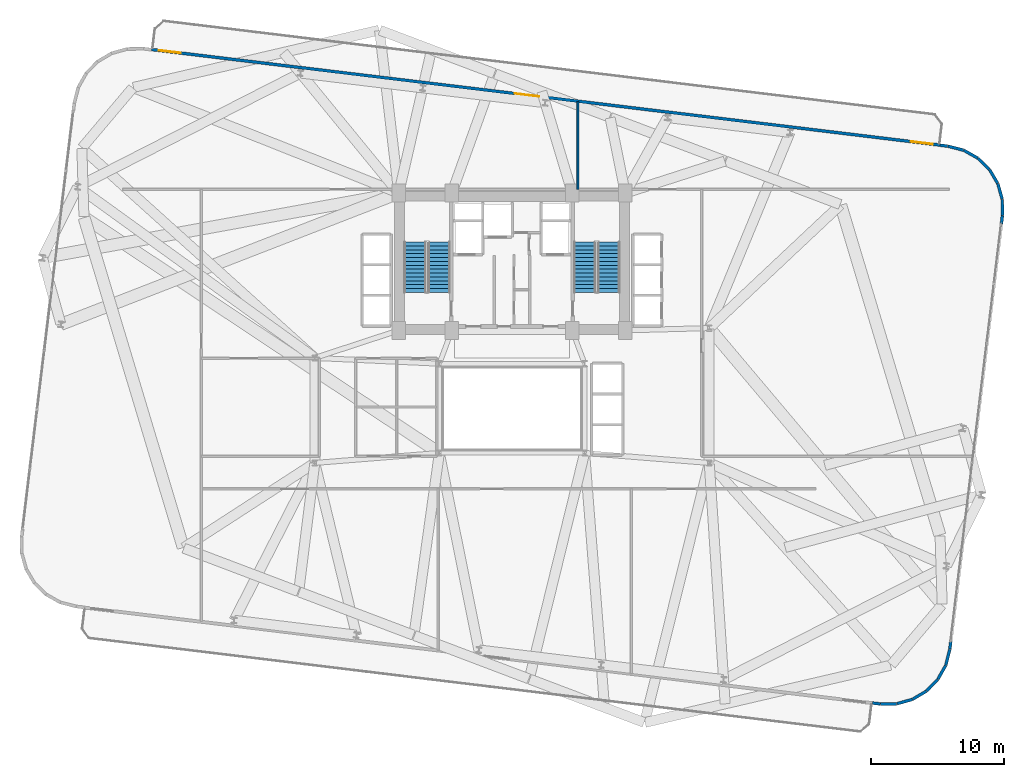
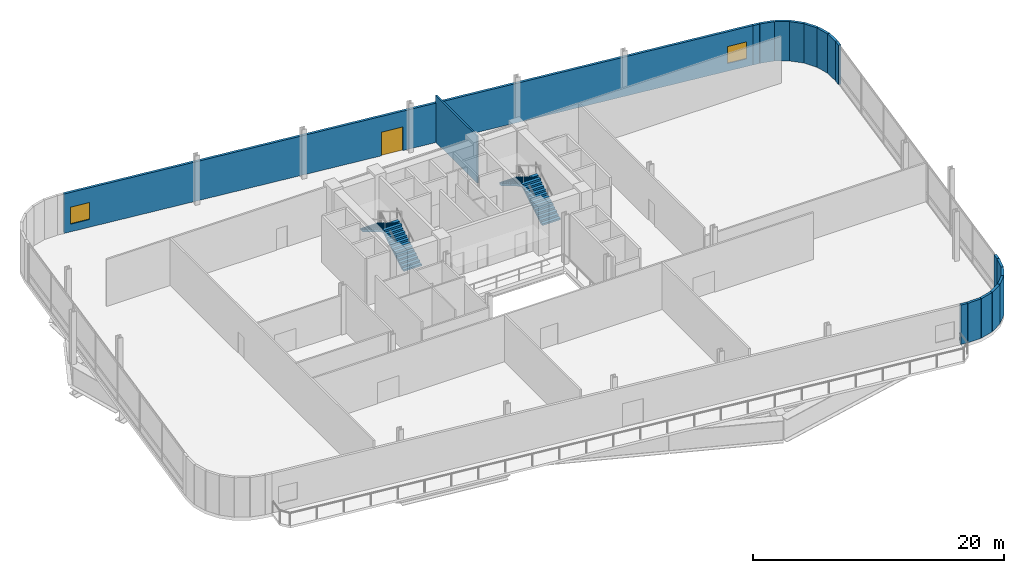
# One storey, part 18 of 22: 18 walls, 4 stair flights, 2 windows, 1 door, 3 openings, 2 elements without a shape of their own.
"""IFC4 building model written with IfcOpenShell, lengths in metres."""

from ifc_helpers import new_model, si_unit, direction, frame, frame_2d, origin, place, context, subcontext, project, spatial, polyline, rectangle, outline, extrude, material, layer, layer_set, type_object, element, fill, aggregate, save


model = new_model("IFC4")

# Units and contexts
model_context = context("Model", 3, precision=1e-05, world=origin(), true_north=direction((0.0, 1.0)))
body_context = subcontext(model_context, "Body", "Model", "MODEL_VIEW")
ifc_project = project(units=[si_unit("LENGTHUNIT", "METRE"), si_unit("AREAUNIT", "SQUARE_METRE"), si_unit("VOLUMEUNIT", "CUBIC_METRE"), si_unit("PLANEANGLEUNIT", "RADIAN"), si_unit("MASSUNIT", "GRAM", prefix="KILO")], contexts=[model_context])

# Site, building, storey
site_placement = place(None, origin())
site = spatial("IfcSite", under=ifc_project, at=site_placement, CompositionType="ELEMENT")
building_placement = place(site_placement, origin())
building = spatial("IfcBuilding", under=site, at=building_placement, Name="Varnelok Gate Tower", CompositionType="ELEMENT")
storey_placement = place(building_placement, frame((0.0, 0.0, 116.89990234375)))
storey = spatial("IfcBuildingStorey", under=building, at=storey_placement, Name="L29", CompositionType="ELEMENT", Elevation=116.89990234375)

# Wall, openings, door, windows
ifc_material_1 = material(Name="Concrete C45/55", Category="concrete")
ifc_layer_1 = layer(ifc_material_1, 0.219970703125)
ifc_layer_set_1 = layer_set([ifc_layer_1], Name="Concrete C45/55")
wall_type_1 = type_object("IfcWallType", Name="EW-BALC-220", PredefinedType="SOLIDWALL", material=ifc_layer_set_1)
wall_1_placement = place(storey_placement, frame((12.15478515625, 49.822998046875, 0.0), z_axis=(0.0, 0.0, 1.0), x_axis=(0.992732017356, -0.120345925214, 0.0)))
wall_1 = element("IfcWall", 1, at=wall_1_placement, inside=storey, type_object=wall_type_1, Name="L29 North Terrace Envelope Wall 2", PredefinedType="SOLIDWALL", context=body_context, shape_type="SweptSolid", body=[
    extrude(rectangle(XDim=59.599853515625, YDim=0.219970703125, at=frame_2d((29.7998046875, 0.0))), origin(), (0.0, 0.0, 1.0), 3.830078125),
])
opening_1_placement = place(wall_1_placement, frame((27.44580078125, 0.0, 0.0)))
opening_1 = element("IfcOpeningElement", 2, at=opening_1_placement, cuts=wall_1, Name="Opening SGD-1", PredefinedType="OPENING", context=body_context, shape_type="SweptSolid", body=[
    extrude(rectangle(XDim=1.85009765625, YDim=2.300048828125, at=frame_2d((0.925048828125, 1.14990234375))), frame((0.0, 0.119873046875, 0.0), z_axis=(0.0, -1.0, 0.0), x_axis=(1.0, 0.0, 0.0)), (0.0, 0.0, 1.0), 0.239990234375),
])
opening_2_placement = place(wall_1_placement, frame((0.550048828125, 0.0, 0.75)))
opening_2 = element("IfcOpeningElement", 3, at=opening_2_placement, cuts=wall_1, Name="Opening WN3", PredefinedType="OPENING", context=body_context, shape_type="SweptSolid", body=[
    extrude(rectangle(XDim=1.64990234375, YDim=1.64990234375, at=frame_2d((0.824951171875, 0.824951171875))), frame((0.0, 0.119873046875, 0.0), z_axis=(0.0, -1.0, 0.0), x_axis=(1.0, 0.0, 0.0)), (0.0, 0.0, 1.0), 0.239990234375),
])
opening_3_placement = place(wall_1_placement, frame((57.39990234375, 0.0, 0.75)))
opening_3 = element("IfcOpeningElement", 4, at=opening_3_placement, cuts=wall_1, Name="Opening WN3", PredefinedType="OPENING", context=body_context, shape_type="SweptSolid", body=[
    extrude(rectangle(XDim=1.64990234375, YDim=1.64990234375, at=frame_2d((0.824951171875, 0.824951171875))), frame((0.0, 0.119873046875, 0.0), z_axis=(0.0, -1.0, 0.0), x_axis=(1.0, 0.0, 0.0)), (0.0, 0.0, 1.0), 0.239990234375),
])
ifc_material_2 = material(Name="Anodized Aluminum Alloy 6063-T6", Category="aluminium")
door_type = type_object("IfcDoorType", Name="DR-EXT-SKYG1850", OperationType="DOUBLE_DOOR_SINGLE_SWING", PredefinedType="DOOR", material=ifc_material_2)
door_placement = place(opening_1_placement, origin())
door = element("IfcDoor", 5, at=door_placement, inside=storey, type_object=door_type, Name="L29 North Sky Garden Glazed Door 2", OperationType="DOUBLE_DOOR_SINGLE_SWING", OverallHeight=2.300048828125, OverallWidth=1.85009765625, PredefinedType="DOOR", context=body_context, shape_type="SweptSolid", body=[
    extrude(rectangle(XDim=1.85009765625, YDim=2.300048828125, at=frame_2d((0.925048828125, 1.14990234375))), frame((0.0, 0.02490234375, 0.0), z_axis=(0.0, -1.0, 0.0), x_axis=(1.0, 0.0, 0.0)), (0.0, 0.0, 1.0), 0.050048828125),
])
fill(opening_1, door)
ifc_material_3 = material(Name="Low-E Laminated Double Glazing IGU", Category="glass")
window_type = type_object("IfcWindowType", Name="WN-HTL-1650", PartitioningType="SINGLE_PANEL", PredefinedType="WINDOW", material=ifc_material_3)
window_1_placement = place(opening_2_placement, origin())
window_1 = element("IfcWindow", 6, at=window_1_placement, inside=storey, type_object=window_type, Name="L29 North Vision Window 2.1", OverallHeight=1.64990234375, OverallWidth=1.64990234375, PartitioningType="SINGLE_PANEL", PredefinedType="WINDOW", context=body_context, shape_type="SweptSolid", body=[
    extrude(rectangle(XDim=1.64990234375, YDim=1.64990234375, at=frame_2d((0.824951171875, 0.824951171875))), frame((0.0, 0.030029296875, 0.0), z_axis=(0.0, -1.0, 0.0), x_axis=(1.0, 0.0, 0.0)), (0.0, 0.0, 1.0), 0.06005859375),
])
fill(opening_2, window_1)
window_2_placement = place(opening_3_placement, origin())
window_2 = element("IfcWindow", 7, at=window_2_placement, inside=storey, type_object=window_type, Name="L29 North Vision Window 2.2", OverallHeight=1.64990234375, OverallWidth=1.64990234375, PartitioningType="SINGLE_PANEL", PredefinedType="WINDOW", context=body_context, shape_type="SweptSolid", body=[
    extrude(rectangle(XDim=1.64990234375, YDim=1.64990234375, at=frame_2d((0.824951171875, 0.824951171875))), frame((0.0, 0.030029296875, 0.0), z_axis=(0.0, -1.0, 0.0), x_axis=(1.0, 0.0, 0.0)), (0.0, 0.0, 1.0), 0.06005859375),
])
fill(opening_3, window_2)

# Walls
wall_2_placement = place(storey_placement, frame((66.24658203125, 0.786865234375, 0.0), z_axis=(0.0, 0.0, 1.0), x_axis=(0.992771060212, -0.120023422734, 0.0)))
element("IfcWall", 8, at=wall_2_placement, inside=storey, type_object=wall_type_1, Name="L29 Perimeter Facade Closure Wall 8", PredefinedType="SOLIDWALL", context=body_context, shape_type="SweptSolid", body=[
    extrude(rectangle(XDim=0.592041015625, YDim=0.219970703125, at=frame_2d((0.2958984375, 0.0))), origin(), (0.0, 0.0, 1.0), 3.830078125),
])
wall_3_placement = place(storey_placement, frame((66.859375, 0.7158203125, 0.0), z_axis=(0.0, 0.0, 1.0), x_axis=(0.999946561616, 0.010337983913, 0.0)))
element("IfcWall", 9, at=wall_3_placement, inside=storey, type_object=wall_type_1, Name="L29 Perimeter Facade Closure Wall 9", PredefinedType="SOLIDWALL", context=body_context, shape_type="SweptSolid", body=[
    extrude(rectangle(XDim=1.204345703125, YDim=0.219970703125, at=frame_2d((0.60205078125, 0.0))), origin(), (0.0, 0.0, 1.0), 3.830078125),
])
wall_4_placement = place(storey_placement, frame((68.087890625, 0.735107421875, 0.0), z_axis=(0.0, 0.0, 1.0), x_axis=(0.963260170888, 0.268569996799, 0.0)))
element("IfcWall", 10, at=wall_4_placement, inside=storey, type_object=wall_type_1, Name="L29 Perimeter Facade Closure Wall 10", PredefinedType="SOLIDWALL", context=body_context, shape_type="SweptSolid", body=[
    extrude(rectangle(XDim=1.1962890625, YDim=0.219970703125, at=frame_2d((0.59814453125, 0.0))), origin(), (0.0, 0.0, 1.0), 3.830078125),
])
for number, where, z_axis, x_axis, name in (
    (11, (69.26171875, 1.0693359375, 0.0), (0.0, 0.0, 1.0), (0.860930590644, 0.508722437183, 0.0), "L29 Perimeter Facade Closure Wall 11"),
    (12, (70.30908203125, 1.69580078125, 0.0), (0.0, 0.0, 1.0), (0.699826580501, 0.714312786687, 0.0), "L29 Perimeter Facade Closure Wall 12"),
    (13, (71.15869140625, 2.572509765625, 0.0), (0.0, 0.0, 1.0), (0.491142571347, 0.871079201113, 0.0), "L29 Perimeter Facade Closure Wall 13"),
):
    element("IfcWall", number, at=place(storey_placement, frame(where, z_axis=z_axis, x_axis=x_axis)), inside=storey, type_object=wall_type_1, Name=name, PredefinedType="SOLIDWALL", context=body_context, shape_type="SweptSolid", body=[
        extrude(rectangle(XDim=1.196533203125, YDim=0.219970703125, at=frame_2d((0.59814453125, 0.0))), origin(), (0.0, 0.0, 1.0), 3.830078125),
    ])
wall_5_placement = place(storey_placement, frame((71.75244140625, 3.638916015625, 0.0), z_axis=(0.0, 0.0, 1.0), x_axis=(0.248921525881, 0.968523656889, 0.0)))
element("IfcWall", 14, at=wall_5_placement, inside=storey, type_object=wall_type_1, Name="L29 Perimeter Facade Closure Wall 14", PredefinedType="SOLIDWALL", context=body_context, shape_type="SweptSolid", body=[
    extrude(rectangle(XDim=1.204345703125, YDim=0.219970703125, at=frame_2d((0.60205078125, 0.0))), origin(), (0.0, 0.0, 1.0), 3.830078125),
])
wall_6_placement = place(storey_placement, frame((72.055419921875, 4.830078125, 0.0), z_axis=(0.0, 0.0, 1.0), x_axis=(0.120129248388, 0.992758260445, 0.0)))
element("IfcWall", 15, at=wall_6_placement, inside=storey, type_object=wall_type_1, Name="L29 Perimeter Facade Closure Wall 15", PredefinedType="SOLIDWALL", context=body_context, shape_type="SweptSolid", body=[
    extrude(rectangle(XDim=0.5771484375, YDim=0.219970703125, at=frame_2d((0.28857421875, 0.0))), origin(), (0.0, 0.0, 1.0), 3.830078125),
])
wall_7_placement = place(storey_placement, frame((75.92529296875, 36.753662109375, 0.0), z_axis=(0.0, 0.0, 1.0), x_axis=(0.120440362597, 0.992720564438, 0.0)))
element("IfcWall", 16, at=wall_7_placement, inside=storey, type_object=wall_type_1, Name="L29 Perimeter Facade Closure Wall 16", PredefinedType="SOLIDWALL", context=body_context, shape_type="SweptSolid", body=[
    extrude(rectangle(XDim=0.60205078125, YDim=0.219970703125, at=frame_2d((0.301025390625, 0.0))), origin(), (0.0, 0.0, 1.0), 3.830078125),
])
wall_8_placement = place(storey_placement, frame((75.99755859375, 37.376220703125, 0.0), z_axis=(0.0, 0.0, 1.0), x_axis=(-0.010337983913, 0.999946561616, 0.0)))
element("IfcWall", 17, at=wall_8_placement, inside=storey, type_object=wall_type_1, Name="L29 Perimeter Facade Closure Wall 17", PredefinedType="SOLIDWALL", context=body_context, shape_type="SweptSolid", body=[
    extrude(rectangle(XDim=1.204345703125, YDim=0.219970703125, at=frame_2d((0.60205078125, 0.0))), origin(), (0.0, 0.0, 1.0), 3.830078125),
])
for number, where, z_axis, x_axis, name in (
    (18, (75.978515625, 38.604736328125, 0.0), (0.0, 0.0, 1.0), (-0.268759341475, 0.963207358968, 0.0), "L29 Perimeter Facade Closure Wall 18"),
    (19, (75.64404296875, 39.77880859375, 0.0), (0.0, 0.0, 1.0), (-0.508811823414, 0.86087776621, 0.0), "L29 Perimeter Facade Closure Wall 19"),
):
    element("IfcWall", number, at=place(storey_placement, frame(where, z_axis=z_axis, x_axis=x_axis)), inside=storey, type_object=wall_type_1, Name=name, PredefinedType="SOLIDWALL", context=body_context, shape_type="SweptSolid", body=[
        extrude(rectangle(XDim=1.1962890625, YDim=0.219970703125, at=frame_2d((0.59814453125, 0.0))), origin(), (0.0, 0.0, 1.0), 3.830078125),
    ])
for number, where, z_axis, x_axis, name in (
    (20, (75.017578125, 40.826171875, 0.0), (0.0, 0.0, 1.0), (-0.714414787791, 0.699722452824, 0.0), "L29 Perimeter Facade Closure Wall 20"),
    (21, (74.14111328125, 41.67578125, 0.0), (0.0, 0.0, 1.0), (-0.871215673927, 0.490900447651, 0.0), "L29 Perimeter Facade Closure Wall 21"),
):
    element("IfcWall", number, at=place(storey_placement, frame(where, z_axis=z_axis, x_axis=x_axis)), inside=storey, type_object=wall_type_1, Name=name, PredefinedType="SOLIDWALL", context=body_context, shape_type="SweptSolid", body=[
        extrude(rectangle(XDim=1.196533203125, YDim=0.219970703125, at=frame_2d((0.59814453125, 0.0))), origin(), (0.0, 0.0, 1.0), 3.830078125),
    ])
wall_9_placement = place(storey_placement, frame((73.074462890625, 42.269287109375, 0.0), z_axis=(0.0, 0.0, 1.0), x_axis=(-0.968511093208, 0.248970404534, 0.0)))
element("IfcWall", 22, at=wall_9_placement, inside=storey, type_object=wall_type_1, Name="L29 Perimeter Facade Closure Wall 22", PredefinedType="SOLIDWALL", context=body_context, shape_type="SweptSolid", body=[
    extrude(rectangle(XDim=1.2041015625, YDim=0.219970703125, at=frame_2d((0.60205078125, 0.0))), origin(), (0.0, 0.0, 1.0), 3.830078125),
])
wall_10_placement = place(storey_placement, frame((71.88330078125, 42.572265625, 0.0), z_axis=(0.0, 0.0, 1.0), x_axis=(-0.992760251008, 0.120112797065, 0.0)))
element("IfcWall", 23, at=wall_10_placement, inside=storey, type_object=wall_type_1, Name="L29 Perimeter Facade Closure Wall 23", PredefinedType="SOLIDWALL", context=body_context, shape_type="SweptSolid", body=[
    extrude(rectangle(XDim=0.567138671875, YDim=0.219970703125, at=frame_2d((0.28369140625, 0.0))), origin(), (0.0, 0.0, 1.0), 3.830078125),
])
ifc_material_4 = material(Name="Gypsum Plasterboard Acoustic Partition", Category="gypsum")
ifc_layer_2 = layer(ifc_material_4, 0.14990234375)
ifc_layer_set_2 = layer_set([ifc_layer_2], Name="Gypsum Plasterboard Acoustic Partition")
wall_type_2 = type_object("IfcWallType", Name="PW-PART-150", PredefinedType="PARTITIONING", material=ifc_layer_set_2)
wall_11_placement = place(storey_placement, frame((44.14990234375, 39.320068359375, 0.0), z_axis=(0.0, 0.0, 1.0), x_axis=(0.0, 1.0, 0.0)))
element("IfcWall", 24, at=wall_11_placement, inside=storey, type_object=wall_type_2, Name="Interior Partition", PredefinedType="PARTITIONING", context=body_context, shape_type="SweptSolid", body=[
    extrude(rectangle(XDim=6.593994140625, YDim=0.14990234375, at=frame_2d((3.296875, 0.0))), origin(), (0.0, 0.0, 1.0), 4.550048828125),
])

# Stair, stair flights
ifc_material_5 = material(Name="Concrete C50/60", Category="concrete")
stair_type = type_object("IfcStairType", Name="STR-CORE-1650", PredefinedType="HALF_TURN_STAIR", material=ifc_material_5)
stair_1_placement = place(storey_placement, origin())
stair_1 = element("IfcStair", 25, at=stair_1_placement, inside=storey, type_object=stair_type, Name="L29 Exit Stair ST-1", PredefinedType="HALF_TURN_STAIR")
stair_flight_type = type_object("IfcStairFlightType", Name="SFL-CORE-1650", PredefinedType="STRAIGHT", material=ifc_material_5)
stair_flight_1_placement = place(storey_placement, frame((33.72509765625, 31.60009765625, 0.0), z_axis=(0.0, 0.0, 1.0), x_axis=(0.0, 1.0, 0.0)))
stair_flight_1 = element("IfcStairFlight", 26, at=stair_flight_1_placement, type_object=stair_flight_type, Name="ST-1 flight 1", NumberOfRisers=14, NumberOfTreads=13, PredefinedType="STRAIGHT", RiserHeight=0.171428571, TreadLength=0.29, context=body_context, shape_type="SweptSolid", body=[
    extrude(outline(polyline([(0.0, 0.0), (0.0, 0.17138671875), (0.2900390625, 0.17138671875), (0.2900390625, 0.3427734375), (0.580078125, 0.3427734375), (0.580078125, 0.514404296875), (0.8701171875, 0.514404296875), (0.8701171875, 0.685791015625), (1.159912109375, 0.685791015625), (1.159912109375, 0.857177734375), (1.449951171875, 0.857177734375), (1.449951171875, 1.028564453125), (1.739990234375, 1.028564453125), (1.739990234375, 1.199951171875), (2.030029296875, 1.199951171875), (2.030029296875, 1.371337890625), (2.320068359375, 1.371337890625), (2.320068359375, 1.54296875), (2.610107421875, 1.54296875), (2.610107421875, 1.71435546875), (2.89990234375, 1.71435546875), (2.89990234375, 1.8857421875), (3.18994140625, 1.8857421875), (3.18994140625, 2.05712890625), (3.47998046875, 2.05712890625), (3.47998046875, 2.228515625), (3.77001953125, 2.228515625), (3.77001953125, 2.39990234375), (3.77001953125, 2.054443359375), (0.294677734375, 0.0), (0.0, 0.0)])), frame((0.0, 0.824951171875, 0.0), z_axis=(0.0, -1.0, 0.0), x_axis=(1.0, 0.0, 0.0)), (0.0, 0.0, 1.0), 1.64990234375),
])
stair_flight_2_placement = place(storey_placement, frame((31.925048828125, 35.3701171875, 2.400146484375), z_axis=(0.0, 0.0, 1.0), x_axis=(0.0, -1.0, 0.0)))
stair_flight_2 = element("IfcStairFlight", 27, at=stair_flight_2_placement, type_object=stair_flight_type, Name="ST-1 flight 2", NumberOfRisers=14, NumberOfTreads=13, PredefinedType="STRAIGHT", RiserHeight=0.171428571, TreadLength=0.29, context=body_context, shape_type="SweptSolid", body=[
    extrude(outline(polyline([(0.0, 0.0), (0.0, 0.17138671875), (0.2900390625, 0.17138671875), (0.2900390625, 0.3427734375), (0.580078125, 0.3427734375), (0.580078125, 0.514404296875), (0.8701171875, 0.514404296875), (0.8701171875, 0.685791015625), (1.159912109375, 0.685791015625), (1.159912109375, 0.857177734375), (1.449951171875, 0.857177734375), (1.449951171875, 1.028564453125), (1.739990234375, 1.028564453125), (1.739990234375, 1.199951171875), (2.030029296875, 1.199951171875), (2.030029296875, 1.371337890625), (2.320068359375, 1.371337890625), (2.320068359375, 1.54296875), (2.610107421875, 1.54296875), (2.610107421875, 1.71435546875), (2.89990234375, 1.71435546875), (2.89990234375, 1.8857421875), (3.18994140625, 1.8857421875), (3.18994140625, 2.05712890625), (3.47998046875, 2.05712890625), (3.47998046875, 2.228515625), (3.77001953125, 2.228515625), (3.77001953125, 2.39990234375), (3.77001953125, 2.054443359375), (0.294677734375, 0.0), (0.0, 0.0)])), frame((0.0, 0.824951171875, 0.0), z_axis=(0.0, -1.0, 0.0), x_axis=(1.0, 0.0, 0.0)), (0.0, 0.0, 1.0), 1.64990234375),
])
aggregate(stair_1, [stair_flight_1, stair_flight_2])

stair_2_placement = place(storey_placement, origin())
stair_2 = element("IfcStair", 28, at=stair_2_placement, inside=storey, type_object=stair_type, Name="L29 Exit Stair ST-2", PredefinedType="HALF_TURN_STAIR")
stair_flight_3_placement = place(storey_placement, frame((46.47509765625, 31.60009765625, 0.0), z_axis=(0.0, 0.0, 1.0), x_axis=(0.0, 1.0, 0.0)))
stair_flight_3 = element("IfcStairFlight", 29, at=stair_flight_3_placement, type_object=stair_flight_type, Name="ST-2 flight 1", NumberOfRisers=14, NumberOfTreads=13, PredefinedType="STRAIGHT", RiserHeight=0.171428571, TreadLength=0.29, context=body_context, shape_type="SweptSolid", body=[
    extrude(outline(polyline([(0.0, 0.0), (0.0, 0.17138671875), (0.2900390625, 0.17138671875), (0.2900390625, 0.3427734375), (0.580078125, 0.3427734375), (0.580078125, 0.514404296875), (0.8701171875, 0.514404296875), (0.8701171875, 0.685791015625), (1.159912109375, 0.685791015625), (1.159912109375, 0.857177734375), (1.449951171875, 0.857177734375), (1.449951171875, 1.028564453125), (1.739990234375, 1.028564453125), (1.739990234375, 1.199951171875), (2.030029296875, 1.199951171875), (2.030029296875, 1.371337890625), (2.320068359375, 1.371337890625), (2.320068359375, 1.54296875), (2.610107421875, 1.54296875), (2.610107421875, 1.71435546875), (2.89990234375, 1.71435546875), (2.89990234375, 1.8857421875), (3.18994140625, 1.8857421875), (3.18994140625, 2.05712890625), (3.47998046875, 2.05712890625), (3.47998046875, 2.228515625), (3.77001953125, 2.228515625), (3.77001953125, 2.39990234375), (3.77001953125, 2.054443359375), (0.294677734375, 0.0), (0.0, 0.0)])), frame((0.0, 0.824951171875, 0.0), z_axis=(0.0, -1.0, 0.0), x_axis=(1.0, 0.0, 0.0)), (0.0, 0.0, 1.0), 1.64990234375),
])
stair_flight_4_placement = place(storey_placement, frame((44.675048828125, 35.3701171875, 2.400146484375), z_axis=(0.0, 0.0, 1.0), x_axis=(0.0, -1.0, 0.0)))
stair_flight_4 = element("IfcStairFlight", 30, at=stair_flight_4_placement, type_object=stair_flight_type, Name="ST-2 flight 2", NumberOfRisers=14, NumberOfTreads=13, PredefinedType="STRAIGHT", RiserHeight=0.171428571, TreadLength=0.29, context=body_context, shape_type="SweptSolid", body=[
    extrude(outline(polyline([(0.0, 0.0), (0.0, 0.17138671875), (0.2900390625, 0.17138671875), (0.2900390625, 0.3427734375), (0.580078125, 0.3427734375), (0.580078125, 0.514404296875), (0.8701171875, 0.514404296875), (0.8701171875, 0.685791015625), (1.159912109375, 0.685791015625), (1.159912109375, 0.857177734375), (1.449951171875, 0.857177734375), (1.449951171875, 1.028564453125), (1.739990234375, 1.028564453125), (1.739990234375, 1.199951171875), (2.030029296875, 1.199951171875), (2.030029296875, 1.371337890625), (2.320068359375, 1.371337890625), (2.320068359375, 1.54296875), (2.610107421875, 1.54296875), (2.610107421875, 1.71435546875), (2.89990234375, 1.71435546875), (2.89990234375, 1.8857421875), (3.18994140625, 1.8857421875), (3.18994140625, 2.05712890625), (3.47998046875, 2.05712890625), (3.47998046875, 2.228515625), (3.77001953125, 2.228515625), (3.77001953125, 2.39990234375), (3.77001953125, 2.054443359375), (0.294677734375, 0.0), (0.0, 0.0)])), frame((0.0, 0.824951171875, 0.0), z_axis=(0.0, -1.0, 0.0), x_axis=(1.0, 0.0, 0.0)), (0.0, 0.0, 1.0), 1.64990234375),
])
aggregate(stair_2, [stair_flight_3, stair_flight_4])

save(model, "model.ifc")
